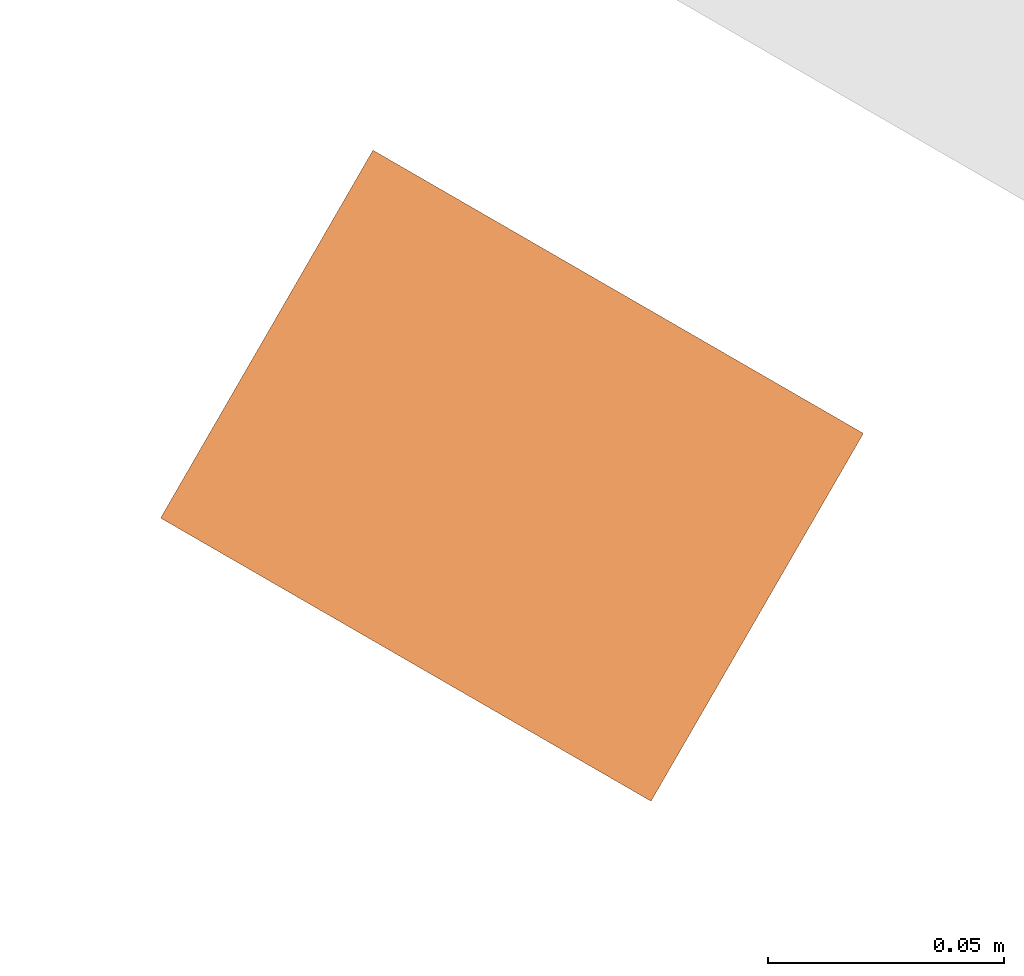
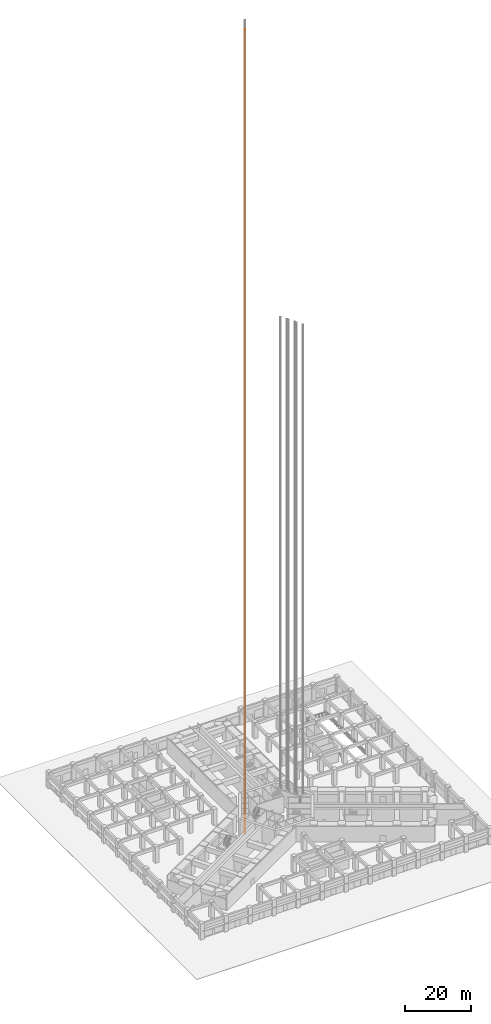
# One storey, part 24 of 33: 1 proxy.
"""IFC4 building model written with IfcOpenShell, lengths in metres."""

from ifc_helpers import new_model, si_unit, direction, frame, origin, origin_2d, place, context, subcontext, project, spatial, rectangle, extrude, material, type_object, element, save


model = new_model("IFC4")

# Units and contexts
model_context = context("Model", 3, precision=1e-05, world=origin(), true_north=direction((0.0, 1.0)))
body_context = subcontext(model_context, "Body", "Model", "MODEL_VIEW")
ifc_project = project(units=[si_unit("LENGTHUNIT", "METRE"), si_unit("AREAUNIT", "SQUARE_METRE"), si_unit("VOLUMEUNIT", "CUBIC_METRE"), si_unit("PLANEANGLEUNIT", "RADIAN"), si_unit("MASSUNIT", "GRAM", prefix="KILO")], contexts=[model_context])

# Site, building, storey
site_placement = place(None, origin())
site = spatial("IfcSite", under=ifc_project, at=site_placement, CompositionType="ELEMENT")
building_placement = place(site_placement, origin())
building = spatial("IfcBuilding", under=site, at=building_placement, Name="Impinga Residences", CompositionType="ELEMENT")
storey_placement = place(building_placement, origin())
storey = spatial("IfcBuildingStorey", under=building, at=storey_placement, Name="L00", CompositionType="ELEMENT", Elevation=0.0)

# Proxy
ifc_material = material(Name="Steel lift guide rail, galvanised", Category="steel")
building_element_proxy_type = type_object("IfcBuildingElementProxyType", Name="LGR lift guide rail", PredefinedType="USERDEFINED", material=ifc_material)
proxy_placement = place(storey_placement, frame((-8.67724609375, 3.73388671875, -3.5), z_axis=(0.0, 0.0, 1.0), x_axis=(-0.5, -0.866025403784, 0.0)))
element("IfcBuildingElementProxy", 1, at=proxy_placement, inside=storey, type_object=building_element_proxy_type, Name="Guide rail P8 2", ObjectType="Lift guide rail", PredefinedType="USERDEFINED", context=body_context, shape_type="SweptSolid", body=[
    extrude(rectangle(XDim=0.090087890625, YDim=0.1201171875, at=origin_2d()), origin(), (0.0, 0.0, 1.0), 297.449951171875),
])

save(model, "model.ifc")
